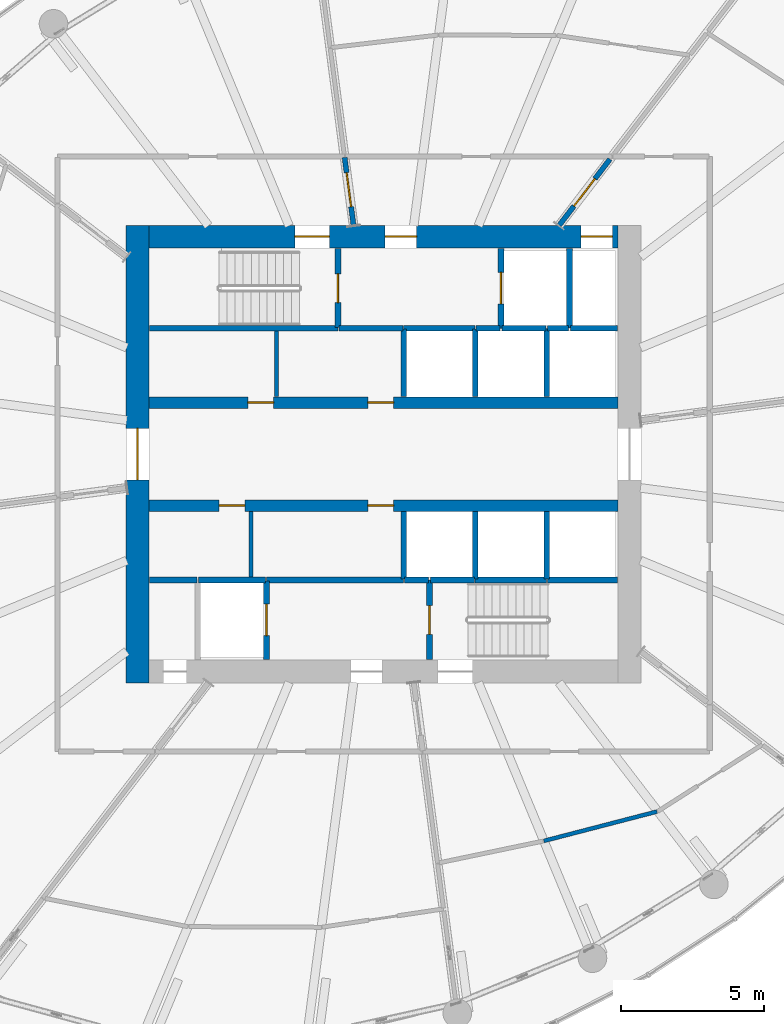
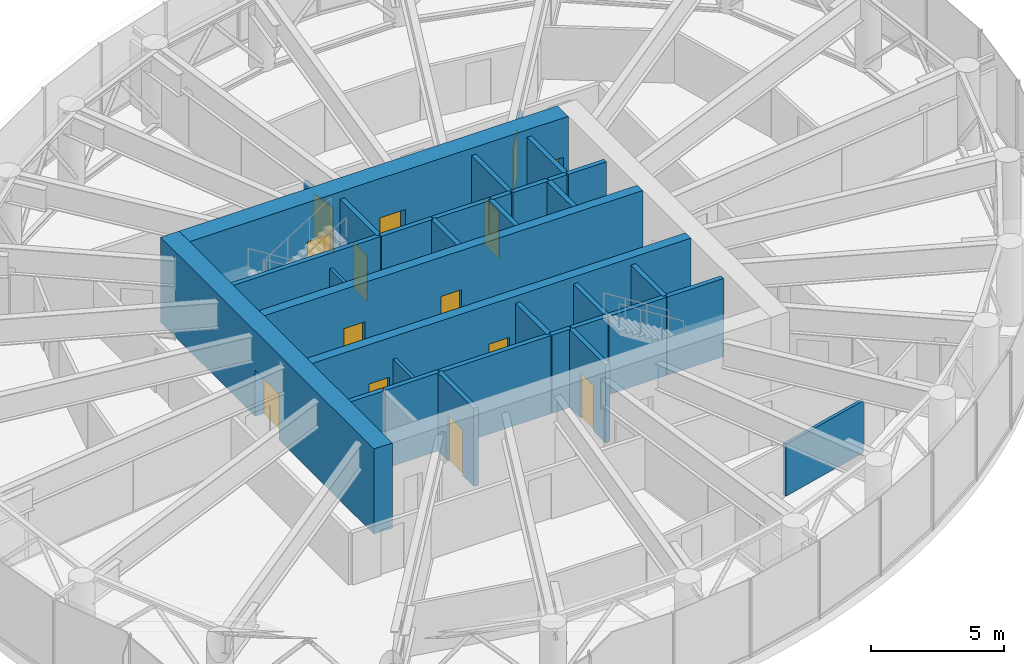
# One storey, part 14 of 25: 34 walls, 14 doors, 14 openings.
"""IFC4 building model written with IfcOpenShell, lengths in metres."""

import ifcopenshell
import ifcopenshell.guid

model = None  # the IFC model being written
_history = None  # IfcOwnerHistory: only IFC2X3 demands one
_inside = {}  # id of a spatial element -> (the spatial element, [elements in it])
_under = {}  # id of a project, library or spatial element -> (it, [spatial elements below it])
_declared = {}  # id of a project -> (the project, [libraries it declares])
_typed = {}  # id of a type object -> (the type object, [elements of that type])
_made_of = {}  # id of a material, layer set ... -> (it, [elements and type objects made of it])


def new_model(schema):
    """Start an empty IFC model of exactly this schema.

    Asked for "IFC4X3", IfcOpenShell would pick the latest addendum, in which some entities
    have other attributes; the version numbers below select the first issue.
    IFC2X3 requires an IfcOwnerHistory on every rooted entity: one is made here for all.
    """
    global model, _history
    if schema == "IFC4X3":
        model = ifcopenshell.file(schema_version=(4, 3, 0, 0))
    else:
        model = ifcopenshell.file(schema=schema)
    _inside.clear()
    _under.clear()
    _declared.clear()
    _typed.clear()
    _made_of.clear()
    _history = None
    if model.schema == "IFC2X3":
        org = make("IfcOrganization", Name="unknown")
        user = make(
            "IfcPersonAndOrganization",
            ThePerson=make("IfcPerson", FamilyName="unknown"),
            TheOrganization=org,
        )
        app = make(
            "IfcApplication",
            ApplicationDeveloper=org,
            Version="unknown",
            ApplicationFullName="unknown",
            ApplicationIdentifier="unknown",
        )
        _history = make(
            "IfcOwnerHistory",
            OwningUser=user,
            OwningApplication=app,
            ChangeAction="ADDED",
            CreationDate=0,
        )
    return model


def make(cls, **values):
    """One entity of the class cls with the attributes given. An attribute that is None is left unset."""
    return model.create_entity(
        cls, **{name: value for name, value in values.items() if value is not None}
    )


def rooted(cls, **values):
    """An entity with a GlobalId (a new one), such as an element, a storey or a relation."""
    return make(cls, GlobalId=ifcopenshell.guid.new(), OwnerHistory=_history, **values)


def si_unit(unit_type, name, prefix=None):
    """IfcSIUnit, for example si_unit("LENGTHUNIT", "METRE", prefix="MILLI")."""
    return make("IfcSIUnit", UnitType=unit_type, Prefix=prefix, Name=name)


def assignment(units):
    """IfcUnitAssignment: the units of a project."""
    return None if units is None else make("IfcUnitAssignment", Units=units)


def point(xyz):
    """IfcCartesianPoint."""
    return None if xyz is None else make("IfcCartesianPoint", Coordinates=xyz)


def direction(xyz):
    """IfcDirection."""
    return None if xyz is None else make("IfcDirection", DirectionRatios=xyz)


def frame(location, z_axis=None, x_axis=None):
    """IfcAxis2Placement3D, a coordinate frame: its origin and axes. An axis left out is left unset."""
    return make(
        "IfcAxis2Placement3D",
        Location=point(location),
        Axis=direction(z_axis),
        RefDirection=direction(x_axis),
    )


def frame_2d(location, x_axis=None):
    """IfcAxis2Placement2D, a coordinate frame in the plane: its origin and x axis."""
    return make(
        "IfcAxis2Placement2D", Location=point(location), RefDirection=direction(x_axis)
    )


def origin():
    """The frame at (0, 0, 0) with its axes left unset."""
    return frame((0.0, 0.0, 0.0))


def place(relative_to, where):
    """IfcLocalPlacement: puts the frame where relative to a parent placement (None: the world)."""
    return make(
        "IfcLocalPlacement", PlacementRelTo=relative_to, RelativePlacement=where
    )


def context(
    kind, dimensions, precision=None, world=None, true_north=None, identifier=None
):
    """IfcGeometricRepresentationContext, for example the 3D "Model" context."""
    return make(
        "IfcGeometricRepresentationContext",
        ContextIdentifier=identifier,
        ContextType=kind,
        CoordinateSpaceDimension=dimensions,
        Precision=precision,
        WorldCoordinateSystem=world,
        TrueNorth=true_north,
    )


def subcontext(parent, identifier, kind, view, scale=None):
    """IfcGeometricRepresentationSubContext, for example "Body" below "Model"."""
    return make(
        "IfcGeometricRepresentationSubContext",
        ContextIdentifier=identifier,
        ContextType=kind,
        ParentContext=parent,
        TargetScale=scale,
        TargetView=view,
    )


def project(units=None, contexts=None):
    """IfcProject with its units and contexts."""
    return rooted(
        "IfcProject",
        Name="project",
        RepresentationContexts=contexts,
        UnitsInContext=assignment(units),
    )


def spatial(cls, under=None, at=None, **own):
    """A site, building, storey or space (cls), placed at a placement, below another one or the project."""
    s = rooted(cls, ObjectPlacement=at, **own)
    if under is not None:
        _under.setdefault(under.id(), (under, []))[1].append(s)
    return s


def profile(cls, at=None, kind="AREA", **sizes):
    """A parametric profile (cls). Its sizes go by their IFC names, for example OverallWidth=200.0."""
    return make(cls, ProfileType=kind, Position=at, **sizes)


def rectangle(**sizes):
    """IfcRectangleProfileDef."""
    return profile("IfcRectangleProfileDef", **sizes)


def extrude(swept, where, along, depth):
    """IfcExtrudedAreaSolid: the profile swept, set in the frame where, extruded along a direction by depth."""
    return make(
        "IfcExtrudedAreaSolid",
        SweptArea=swept,
        Position=where,
        ExtrudedDirection=direction(along),
        Depth=depth,
    )


def shape(context_of_items, identifier, shape_type, items):
    """IfcShapeRepresentation: the items that make up one representation, for example the "Body"."""
    return make(
        "IfcShapeRepresentation",
        ContextOfItems=context_of_items,
        RepresentationIdentifier=identifier,
        RepresentationType=shape_type,
        Items=items,
    )


def source(mapping_origin, context_of_items, identifier, shape_type, items):
    """IfcRepresentationMap: a shape defined once, which mapped items show again and again."""
    return make(
        "IfcRepresentationMap",
        MappingOrigin=mapping_origin,
        MappedRepresentation=shape(context_of_items, identifier, shape_type, items),
    )


def transform(
    local_origin,
    x_axis=None,
    y_axis=None,
    z_axis=None,
    scale=None,
    scale2=None,
    scale3=None,
    uniform=True,
):
    """IfcCartesianTransformationOperator3D, or its non-uniform kind. x_axis, y_axis, z_axis: its Axis1, 2, 3."""
    if uniform:
        return make(
            "IfcCartesianTransformationOperator3D",
            Axis1=direction(x_axis),
            Axis2=direction(y_axis),
            LocalOrigin=point(local_origin),
            Scale=scale,
            Axis3=direction(z_axis),
        )
    return make(
        "IfcCartesianTransformationOperator3DnonUniform",
        Axis1=direction(x_axis),
        Axis2=direction(y_axis),
        LocalOrigin=point(local_origin),
        Scale=scale,
        Axis3=direction(z_axis),
        Scale2=scale2,
        Scale3=scale3,
    )


def mapped(mapping_source, mapping_target):
    """IfcMappedItem: shows the shape of a source again, moved by a transform."""
    return make(
        "IfcMappedItem", MappingSource=mapping_source, MappingTarget=mapping_target
    )


def material(Name=None, Category=None):
    """IfcMaterial."""
    return make("IfcMaterial", Name=Name, Category=Category)


def layer(
    of_material, thickness, ventilated=None, Name=None, Category=None, Priority=None
):
    """IfcMaterialLayer: one layer of a wall or slab, of a material (None: an air gap)."""
    return make(
        "IfcMaterialLayer",
        Material=of_material,
        LayerThickness=thickness,
        IsVentilated=ventilated,
        Name=Name,
        Category=Category,
        Priority=Priority,
    )


def layer_set(layers, Name=None):
    """IfcMaterialLayerSet."""
    return make("IfcMaterialLayerSet", MaterialLayers=layers, LayerSetName=Name)


def made_of(thing, what):
    """Note that an element or type object is made of a material, layer set ...; save() writes the relation."""
    if what is not None:
        _made_of.setdefault(what.id(), (what, []))[1].append(thing)
    return thing


def type_object(cls, material=None, **own):
    """A type object (cls), such as IfcWallType, which elements share."""
    return made_of(rooted(cls, **own), material)


def element(
    cls,
    number,
    at=None,
    inside=None,
    cuts=None,
    type_object=None,
    material=None,
    context=None,
    identifier="Body",
    shape_type=None,
    held_by="IfcProductDefinitionShape",
    body=None,
    shapes=None,
    **own,
):
    """One element of the class cls, such as IfcWall. Its Tag is "e" and its number.

    at: its placement. inside: the storey or other place that contains it. cuts: it is an
    opening in that element (IfcRelVoidsElement). A single representation is given by context,
    identifier, shape_type and body (its items); several are given by shapes. held_by: the class
    of the entity that holds the representations. save() writes the other relations.
    """
    e = rooted(cls, Tag="e%d" % number, ObjectPlacement=at, **own)
    if body is not None:
        shapes = [shape(context, identifier, shape_type, body)]
    if shapes is not None:
        e.Representation = make(held_by, Representations=shapes)
    if inside is not None:
        _inside.setdefault(inside.id(), (inside, []))[1].append(e)
    if cuts is not None:
        rooted(
            "IfcRelVoidsElement", RelatingBuildingElement=cuts, RelatedOpeningElement=e
        )
    if type_object is not None:
        _typed.setdefault(type_object.id(), (type_object, []))[1].append(e)
    return made_of(e, material)


def fill(opening, filler):
    """IfcRelFillsElement: the door or window that sits in an opening."""
    return rooted(
        "IfcRelFillsElement",
        RelatingOpeningElement=opening,
        RelatedBuildingElement=filler,
    )


def aggregate(whole, parts):
    """IfcRelAggregates: a whole, such as a stair, and the parts it consists of."""
    return rooted("IfcRelAggregates", RelatingObject=whole, RelatedObjects=parts)


def save(model, path):
    """Write the relations noted so far, then the file.

    IfcRelAggregates (storeys below a building ...), IfcRelContainedInSpatialStructure (elements
    in a storey), IfcRelDefinesByType, IfcRelAssociatesMaterial and IfcRelDeclares: one each for
    every whole, place, type object, material and project.
    """
    for whole, parts in _under.values():
        aggregate(whole, parts)
    for where, things in _inside.values():
        rooted(
            "IfcRelContainedInSpatialStructure",
            RelatedElements=things,
            RelatingStructure=where,
        )
    for kind, things in _typed.values():
        rooted("IfcRelDefinesByType", RelatedObjects=things, RelatingType=kind)
    for what, things in _made_of.values():
        rooted("IfcRelAssociatesMaterial", RelatedObjects=things, RelatingMaterial=what)
    for by, libraries in _declared.values():
        rooted("IfcRelDeclares", RelatingContext=by, RelatedDefinitions=libraries)
    model.write(path)


model = new_model("IFC4")

# Units and contexts
model_context = context("Model", 3, precision=1e-05, world=origin(), true_north=direction((0.0, 1.0)))
body_context = subcontext(model_context, "Body", "Model", "MODEL_VIEW")
ifc_project = project(units=[si_unit("LENGTHUNIT", "METRE"), si_unit("AREAUNIT", "SQUARE_METRE"), si_unit("VOLUMEUNIT", "CUBIC_METRE"), si_unit("PLANEANGLEUNIT", "RADIAN"), si_unit("MASSUNIT", "GRAM", prefix="KILO")], contexts=[model_context])

# Site, building, storey
site_placement = place(None, origin())
site = spatial("IfcSite", under=ifc_project, at=site_placement, CompositionType="ELEMENT")
building_placement = place(site_placement, origin())
building = spatial("IfcBuilding", under=site, at=building_placement, Name="Spindrift Exchange Tower", CompositionType="ELEMENT")
storey_placement = place(building_placement, frame((0.0, 0.0, 179.89990234375)))
storey = spatial("IfcBuildingStorey", under=building, at=storey_placement, Name="L43", CompositionType="ELEMENT", Elevation=179.89990234375)

# Wall, opening, door
ifc_material_1 = material(Name="Concrete 65 MPa", Category="concrete")
ifc_layer_1 = layer(ifc_material_1, 0.800048828125)
ifc_layer_set_1 = layer_set([ifc_layer_1], Name="RC Core Wall 800 Concrete 65 MPa")
wall_type_1 = type_object("IfcWallType", Name="RC Core Wall 800 Concrete 65 MPa", PredefinedType="SHEAR", material=ifc_layer_set_1)
wall_1_placement = place(storey_placement, frame((43.39990234375, 56.0, 0.0), z_axis=(0.0, 0.0, 1.0), x_axis=(0.0, -1.0, 0.0)))
wall_1 = element("IfcWall", 1, at=wall_1_placement, inside=storey, type_object=wall_type_1, Name="Core wall W L43", PredefinedType="SHEAR", context=body_context, shape_type="SweptSolid", body=[
    extrude(rectangle(XDim=16.0, YDim=0.800048828125, at=frame_2d((8.0, 0.0))), origin(), (0.0, 0.0, 1.0), 3.900146484375),
])
opening_1_placement = place(wall_1_placement, frame((7.10009765625, 0.0, 0.0)))
opening_1 = element("IfcOpeningElement", 2, at=opening_1_placement, cuts=wall_1, Name="Opening L43-D1", PredefinedType="OPENING", context=body_context, shape_type="SweptSolid", body=[
    extrude(rectangle(XDim=1.800048828125, YDim=2.10009765625, at=frame_2d((0.89990234375, 1.050048828125))), frame((0.0, 0.409912109375, 0.0), z_axis=(0.0, -1.0, 0.0), x_axis=(1.0, 0.0, 0.0)), (0.0, 0.0, 1.0), 0.820068359375),
])
ifc_material_2 = material(Name="Timber-core fire door", Category="wood")
door_type_1 = type_object("IfcDoorType", Name="DR-LOBBY-1800", OperationType="NOTDEFINED", PredefinedType="DOOR", material=ifc_material_2)
shared_shape_1 = source(origin(), body_context, "Body", "SweptSolid", [
    extrude(rectangle(XDim=1.800048828125, YDim=2.10009765625, at=frame_2d((0.89990234375, 1.050048828125))), frame((0.0, 0.02490234375, 0.0), z_axis=(0.0, -1.0, 0.0), x_axis=(1.0, 0.0, 0.0)), (0.0, 0.0, 1.0), 0.050048828125),
])
door_1_placement = place(opening_1_placement, origin())
door_1 = element("IfcDoor", 3, at=door_1_placement, inside=storey, type_object=door_type_1, Name="L43 Lobby door 1", OperationType="SINGLE_SWING_LEFT", OverallHeight=2.10009765625, OverallWidth=1.800048828125, PredefinedType="DOOR", context=body_context, shape_type="MappedRepresentation", body=[
    mapped(shared_shape_1, transform((0.0, 0.0, 0.0), scale=1.0)),
])
fill(opening_1, door_1)

# Wall, openings, doors
wall_2_placement = place(storey_placement, frame((60.199951171875, 55.60009765625, 0.0), z_axis=(0.0, 0.0, 1.0), x_axis=(-1.0, 0.0, 0.0)))
wall_2 = element("IfcWall", 4, at=wall_2_placement, inside=storey, type_object=wall_type_1, Name="Core wall N L43", PredefinedType="SHEAR", context=body_context, shape_type="SweptSolid", body=[
    extrude(rectangle(XDim=16.39990234375, YDim=0.800048828125, at=frame_2d((8.199951171875, 0.0))), origin(), (0.0, 0.0, 1.0), 3.900146484375),
])
opening_2_placement = place(wall_2_placement, frame((0.199951171875, 0.0, 0.0)))
opening_2 = element("IfcOpeningElement", 5, at=opening_2_placement, cuts=wall_2, Name="Opening L43-D5", PredefinedType="OPENING", context=body_context, shape_type="SweptSolid", body=[
    extrude(rectangle(XDim=1.10009765625, YDim=2.10009765625, at=frame_2d((0.550048828125, 1.050048828125))), frame((0.0, 0.409912109375, 0.0), z_axis=(0.0, -1.0, 0.0), x_axis=(1.0, 0.0, 0.0)), (0.0, 0.0, 1.0), 0.820068359375),
])
opening_3_placement = place(wall_2_placement, frame((10.10009765625, 0.0, 0.0)))
opening_3 = element("IfcOpeningElement", 6, at=opening_3_placement, cuts=wall_2, Name="Opening L43-D6", PredefinedType="OPENING", context=body_context, shape_type="SweptSolid", body=[
    extrude(rectangle(XDim=1.199951171875, YDim=2.10009765625, at=frame_2d((0.60009765625, 1.050048828125))), frame((0.0, 0.409912109375, 0.0), z_axis=(0.0, -1.0, 0.0), x_axis=(1.0, 0.0, 0.0)), (0.0, 0.0, 1.0), 0.820068359375),
])
opening_4_placement = place(wall_2_placement, frame((7.050048828125, 0.0, 0.0)))
opening_4 = element("IfcOpeningElement", 7, at=opening_4_placement, cuts=wall_2, Name="Opening L43-D8", PredefinedType="OPENING", context=body_context, shape_type="SweptSolid", body=[
    extrude(rectangle(XDim=1.10009765625, YDim=2.10009765625, at=frame_2d((0.550048828125, 1.050048828125))), frame((0.0, 0.409912109375, 0.0), z_axis=(0.0, -1.0, 0.0), x_axis=(1.0, 0.0, 0.0)), (0.0, 0.0, 1.0), 0.820068359375),
])
ifc_material_3 = material(Name="Stainless steel landing door", Category="steel")
door_type_2 = type_object("IfcDoorType", Name="DR-LANDING-1100-SL", OperationType="DOUBLE_DOOR_SLIDING", PredefinedType="USERDEFINED", material=ifc_material_3)
shared_shape_2 = source(origin(), body_context, "Body", "SweptSolid", [
    extrude(rectangle(XDim=1.10009765625, YDim=2.10009765625, at=frame_2d((0.550048828125, 1.050048828125))), frame((0.0, 0.02490234375, 0.0), z_axis=(0.0, -1.0, 0.0), x_axis=(1.0, 0.0, 0.0)), (0.0, 0.0, 1.0), 0.050048828125),
])
door_2_placement = place(opening_2_placement, origin())
door_2 = element("IfcDoor", 8, at=door_2_placement, inside=storey, type_object=door_type_2, Name="L43 Lift landing door 5", ObjectType="LANDING DOOR", OperationType="DOUBLE_DOOR_SLIDING", OverallHeight=2.10009765625, OverallWidth=1.10009765625, PredefinedType="USERDEFINED", context=body_context, shape_type="MappedRepresentation", body=[
    mapped(shared_shape_2, transform((0.0, 0.0, 0.0), scale=1.0)),
])
fill(opening_2, door_2)
ifc_material_4 = material(Name="Steel fire door", Category="steel")
door_type_3 = type_object("IfcDoorType", Name="DR-STAIR-1200", OperationType="NOTDEFINED", PredefinedType="DOOR", material=ifc_material_4)
shared_shape_3 = source(origin(), body_context, "Body", "SweptSolid", [
    extrude(rectangle(XDim=1.199951171875, YDim=2.10009765625, at=frame_2d((0.60009765625, 1.050048828125))), frame((0.0, 0.02490234375, 0.0), z_axis=(0.0, -1.0, 0.0), x_axis=(1.0, 0.0, 0.0)), (0.0, 0.0, 1.0), 0.050048828125),
])
door_3_placement = place(opening_3_placement, origin())
door_3 = element("IfcDoor", 9, at=door_3_placement, inside=storey, type_object=door_type_3, Name="L43 Stair door 6", OperationType="SINGLE_SWING_LEFT", OverallHeight=2.10009765625, OverallWidth=1.199951171875, PredefinedType="DOOR", context=body_context, shape_type="MappedRepresentation", body=[
    mapped(shared_shape_3, transform((0.0, 0.0, 0.0), scale=1.0)),
])
fill(opening_3, door_3)
door_type_4 = type_object("IfcDoorType", Name="DR-LOBBY-1100", OperationType="NOTDEFINED", PredefinedType="DOOR", material=ifc_material_2)
shared_shape_4 = source(origin(), body_context, "Body", "SweptSolid", [
    extrude(rectangle(XDim=1.10009765625, YDim=2.10009765625, at=frame_2d((0.550048828125, 1.050048828125))), frame((0.0, 0.02490234375, 0.0), z_axis=(0.0, -1.0, 0.0), x_axis=(1.0, 0.0, 0.0)), (0.0, 0.0, 1.0), 0.050048828125),
])
door_4_placement = place(opening_4_placement, origin())
door_4 = element("IfcDoor", 10, at=door_4_placement, inside=storey, type_object=door_type_4, Name="L43 Lobby door 8", OperationType="SINGLE_SWING_LEFT", OverallHeight=2.10009765625, OverallWidth=1.10009765625, PredefinedType="DOOR", context=body_context, shape_type="MappedRepresentation", body=[
    mapped(shared_shape_4, transform((0.0, 0.0, 0.0), scale=1.0)),
])
fill(opening_4, door_4)

ifc_layer_2 = layer(ifc_material_1, 0.39990234375)
ifc_layer_set_2 = layer_set([ifc_layer_2], Name="RC Spine Wall 400 Concrete 65 MPa")
wall_type_2 = type_object("IfcWallType", Name="RC Spine Wall 400 Concrete 65 MPa", PredefinedType="SHEAR", material=ifc_layer_set_2)
wall_3_placement = place(storey_placement, frame((43.800048828125, 49.800048828125, 0.0), z_axis=(0.0, 0.0, 1.0), x_axis=(1.0, 0.0, 0.0)))
wall_3 = element("IfcWall", 11, at=wall_3_placement, inside=storey, type_object=wall_type_2, Name="Core spine wall N L43", PredefinedType="SHEAR", context=body_context, shape_type="SweptSolid", body=[
    extrude(rectangle(XDim=16.39990234375, YDim=0.39990234375, at=frame_2d((8.199951171875, 0.0))), origin(), (0.0, 0.0, 1.0), 3.900146484375),
])
opening_5_placement = place(wall_3_placement, frame((3.449951171875, 0.0, 0.0)))
opening_5 = element("IfcOpeningElement", 12, at=opening_5_placement, cuts=wall_3, Name="Opening L43-D34", PredefinedType="OPENING", context=body_context, shape_type="SweptSolid", body=[
    extrude(rectangle(XDim=0.89990234375, YDim=2.10009765625, at=frame_2d((0.449951171875, 1.050048828125))), frame((0.0, 0.2099609375, 0.0), z_axis=(0.0, -1.0, 0.0), x_axis=(1.0, 0.0, 0.0)), (0.0, 0.0, 1.0), 0.419921875),
])
opening_6_placement = place(wall_3_placement, frame((7.64990234375, 0.0, 0.0)))
opening_6 = element("IfcOpeningElement", 13, at=opening_6_placement, cuts=wall_3, Name="Opening L43-D35", PredefinedType="OPENING", context=body_context, shape_type="SweptSolid", body=[
    extrude(rectangle(XDim=0.89990234375, YDim=2.10009765625, at=frame_2d((0.449951171875, 1.050048828125))), frame((0.0, 0.2099609375, 0.0), z_axis=(0.0, -1.0, 0.0), x_axis=(1.0, 0.0, 0.0)), (0.0, 0.0, 1.0), 0.419921875),
])
ifc_material_5 = material(Name="Steel access door", Category="steel")
door_type_5 = type_object("IfcDoorType", Name="DR-RISER-900", OperationType="NOTDEFINED", PredefinedType="DOOR", material=ifc_material_5)
shared_shape_5 = source(origin(), body_context, "Body", "SweptSolid", [
    extrude(rectangle(XDim=0.89990234375, YDim=2.10009765625, at=frame_2d((0.449951171875, 1.050048828125))), frame((0.0, 0.02490234375, 0.0), z_axis=(0.0, -1.0, 0.0), x_axis=(1.0, 0.0, 0.0)), (0.0, 0.0, 1.0), 0.050048828125),
])
door_5_placement = place(opening_5_placement, origin())
door_5 = element("IfcDoor", 14, at=door_5_placement, inside=storey, type_object=door_type_5, Name="L43 Riser door 34", OperationType="SINGLE_SWING_LEFT", OverallHeight=2.10009765625, OverallWidth=0.89990234375, PredefinedType="DOOR", context=body_context, shape_type="MappedRepresentation", body=[
    mapped(shared_shape_5, transform((0.0, 0.0, 0.0), scale=1.0)),
])
fill(opening_5, door_5)
door_6_placement = place(opening_6_placement, origin())
door_6 = element("IfcDoor", 15, at=door_6_placement, inside=storey, type_object=door_type_5, Name="L43 Riser door 35", OperationType="SINGLE_SWING_RIGHT", OverallHeight=2.10009765625, OverallWidth=0.89990234375, PredefinedType="DOOR", context=body_context, shape_type="MappedRepresentation", body=[
    mapped(shared_shape_5, transform((0.0, 0.0, 0.0), scale=1.0)),
])
fill(opening_6, door_6)

wall_4_placement = place(storey_placement, frame((43.800048828125, 46.199951171875, 0.0), z_axis=(0.0, 0.0, 1.0), x_axis=(1.0, 0.0, 0.0)))
wall_4 = element("IfcWall", 16, at=wall_4_placement, inside=storey, type_object=wall_type_2, Name="Core spine wall S L43", PredefinedType="SHEAR", context=body_context, shape_type="SweptSolid", body=[
    extrude(rectangle(XDim=16.39990234375, YDim=0.39990234375, at=frame_2d((8.199951171875, 0.0))), origin(), (0.0, 0.0, 1.0), 3.900146484375),
])
opening_7_placement = place(wall_4_placement, frame((2.449951171875, 0.0, 0.0)))
opening_7 = element("IfcOpeningElement", 17, at=opening_7_placement, cuts=wall_4, Name="Opening L43-D36", PredefinedType="OPENING", context=body_context, shape_type="SweptSolid", body=[
    extrude(rectangle(XDim=0.89990234375, YDim=2.10009765625, at=frame_2d((0.449951171875, 1.050048828125))), frame((0.0, 0.2099609375, 0.0), z_axis=(0.0, -1.0, 0.0), x_axis=(1.0, 0.0, 0.0)), (0.0, 0.0, 1.0), 0.419921875),
])
opening_8_placement = place(wall_4_placement, frame((7.64990234375, 0.0, 0.0)))
opening_8 = element("IfcOpeningElement", 18, at=opening_8_placement, cuts=wall_4, Name="Opening L43-D37", PredefinedType="OPENING", context=body_context, shape_type="SweptSolid", body=[
    extrude(rectangle(XDim=0.89990234375, YDim=2.10009765625, at=frame_2d((0.449951171875, 1.050048828125))), frame((0.0, 0.2099609375, 0.0), z_axis=(0.0, -1.0, 0.0), x_axis=(1.0, 0.0, 0.0)), (0.0, 0.0, 1.0), 0.419921875),
])
door_7_placement = place(opening_7_placement, origin())
door_7 = element("IfcDoor", 19, at=door_7_placement, inside=storey, type_object=door_type_5, Name="L43 Riser door 36", OperationType="SINGLE_SWING_LEFT", OverallHeight=2.10009765625, OverallWidth=0.89990234375, PredefinedType="DOOR", context=body_context, shape_type="MappedRepresentation", body=[
    mapped(shared_shape_5, transform((0.0, 0.0, 0.0), scale=1.0)),
])
fill(opening_7, door_7)
door_8_placement = place(opening_8_placement, origin())
door_8 = element("IfcDoor", 20, at=door_8_placement, inside=storey, type_object=door_type_5, Name="L43 Riser door 37", OperationType="SINGLE_SWING_RIGHT", OverallHeight=2.10009765625, OverallWidth=0.89990234375, PredefinedType="DOOR", context=body_context, shape_type="MappedRepresentation", body=[
    mapped(shared_shape_5, transform((0.0, 0.0, 0.0), scale=1.0)),
])
fill(opening_8, door_8)

# Wall, opening, door
ifc_material_6 = material(Name="Fire-rated plasterboard partition", Category="gypsum")
ifc_layer_3 = layer(ifc_material_6, 0.179931640625)
ifc_layer_set_3 = layer_set([ifc_layer_3], Name="W-CORR-180-SOFFIT")
wall_type_3 = type_object("IfcWallType", Name="W-CORR-180-SOFFIT", PredefinedType="PARTITIONING", material=ifc_layer_set_3)
wall_5_placement = place(storey_placement, frame((59.9111328125, 58.31005859375, 0.0), z_axis=(0.0, 0.0, 1.0), x_axis=(-0.608737787706, -0.793371480341, 0.0)))
wall_5 = element("IfcWall", 21, at=wall_5_placement, inside=storey, type_object=wall_type_3, Name="L43 Partition wall 40", PredefinedType="PARTITIONING", context=body_context, shape_type="SweptSolid", body=[
    extrude(rectangle(XDim=2.91162109375, YDim=0.179931640625, at=frame_2d((1.455810546875, 0.0))), origin(), (0.0, 0.0, 1.0), 2.380126953125),
])
opening_9_placement = place(wall_5_placement, frame((0.86181640625, 0.0, 0.0)))
opening_9 = element("IfcOpeningElement", 22, at=opening_9_placement, cuts=wall_5, Name="Opening L43-D26", PredefinedType="OPENING", context=body_context, shape_type="SweptSolid", body=[
    extrude(rectangle(XDim=1.199951171875, YDim=2.10009765625, at=frame_2d((0.60009765625, 1.050048828125))), frame((0.0, 0.099853515625, 0.0), z_axis=(0.0, -1.0, 0.0), x_axis=(1.0, 0.0, 0.0)), (0.0, 0.0, 1.0), 0.199951171875),
])
door_type_6 = type_object("IfcDoorType", Name="DR-PLANT-1200", OperationType="NOTDEFINED", PredefinedType="DOOR", material=ifc_material_4)
shared_shape_6 = source(origin(), body_context, "Body", "SweptSolid", [
    extrude(rectangle(XDim=1.199951171875, YDim=2.10009765625, at=frame_2d((0.60009765625, 1.050048828125))), frame((0.0, 0.02490234375, 0.0), z_axis=(0.0, -1.0, 0.0), x_axis=(1.0, 0.0, 0.0)), (0.0, 0.0, 1.0), 0.050048828125),
])
door_9_placement = place(opening_9_placement, origin())
door_9 = element("IfcDoor", 23, at=door_9_placement, inside=storey, type_object=door_type_6, Name="L43 Plant room door 26", OperationType="SINGLE_SWING_LEFT", OverallHeight=2.10009765625, OverallWidth=1.199951171875, PredefinedType="DOOR", context=body_context, shape_type="MappedRepresentation", body=[
    mapped(shared_shape_6, transform((0.0, 0.0, 0.0), scale=1.0)),
])
fill(opening_9, door_9)

wall_6_placement = place(storey_placement, frame((50.634765625, 58.370361328125, 0.0), z_axis=(0.0, 0.0, 1.0), x_axis=(0.130504701654, -0.991447690424, 0.0)))
wall_6 = element("IfcWall", 24, at=wall_6_placement, inside=storey, type_object=wall_type_3, Name="L43 Partition wall 43", PredefinedType="PARTITIONING", context=body_context, shape_type="SweptSolid", body=[
    extrude(rectangle(XDim=2.390869140625, YDim=0.179931640625, at=frame_2d((1.1953125, 0.0))), origin(), (0.0, 0.0, 1.0), 2.380126953125),
])
opening_10_placement = place(wall_6_placement, frame((0.540771484375, 0.0, 0.0)))
opening_10 = element("IfcOpeningElement", 25, at=opening_10_placement, cuts=wall_6, Name="Opening L43-D27", PredefinedType="OPENING", context=body_context, shape_type="SweptSolid", body=[
    extrude(rectangle(XDim=1.199951171875, YDim=2.10009765625, at=frame_2d((0.60009765625, 1.050048828125))), frame((0.0, 0.099853515625, 0.0), z_axis=(0.0, -1.0, 0.0), x_axis=(1.0, 0.0, 0.0)), (0.0, 0.0, 1.0), 0.199951171875),
])
door_10_placement = place(opening_10_placement, origin())
door_10 = element("IfcDoor", 26, at=door_10_placement, inside=storey, type_object=door_type_6, Name="L43 Plant room door 27", OperationType="SINGLE_SWING_RIGHT", OverallHeight=2.10009765625, OverallWidth=1.199951171875, PredefinedType="DOOR", context=body_context, shape_type="MappedRepresentation", body=[
    mapped(shared_shape_6, transform((0.0, 0.0, 0.0), scale=1.0)),
])
fill(opening_10, door_10)

# Walls
ifc_layer_4 = layer(ifc_material_6, 0.139892578125)
ifc_layer_set_4 = layer_set([ifc_layer_4], Name="W-PART-140")
wall_type_4 = type_object("IfcWallType", Name="W-PART-140", PredefinedType="PARTITIONING", material=ifc_layer_set_4)
for number, where, z_axis, x_axis, name in (
    (27, (47.360107421875, 43.699951171875, 0.0), (0.0, 0.0, 1.0), (0.0, 1.0, 0.0), "L43 Partition wall 74"),
    (28, (48.25, 50.010009765625, 0.0), (0.0, 0.0, 1.0), (0.0, 1.0, 0.0), "L43 Partition wall 75"),
):
    element("IfcWall", number, at=place(storey_placement, frame(where, z_axis=z_axis, x_axis=x_axis)), inside=storey, type_object=wall_type_4, Name=name, PredefinedType="PARTITIONING", context=body_context, shape_type="SweptSolid", body=[
        extrude(rectangle(XDim=2.2900390625, YDim=0.139892578125, at=frame_2d((1.14501953125, 0.0))), origin(), (0.0, 0.0, 1.0), 2.880126953125),
    ])
ifc_layer_5 = layer(ifc_material_6, 0.139892578125)
ifc_layer_set_5 = layer_set([ifc_layer_5], Name="W-PLANT-140-SOFFIT")
wall_type_5 = type_object("IfcWallType", Name="W-PLANT-140-SOFFIT", PredefinedType="PARTITIONING", material=ifc_layer_set_5)
wall_7_placement = place(storey_placement, frame((57.60205078125, 34.4755859375, 0.0), z_axis=(0.0, 0.0, 1.0), x_axis=(0.96794524956, 0.251161290518, 0.0)))
element("IfcWall", 29, at=wall_7_placement, inside=storey, type_object=wall_type_5, Name="L43 Partition wall 66", PredefinedType="PARTITIONING", context=body_context, shape_type="SweptSolid", body=[
    extrude(rectangle(XDim=4.08447265625, YDim=0.139892578125, at=frame_2d((2.042236328125, 0.0))), origin(), (0.0, 0.0, 1.0), 2.380126953125),
])
ifc_material_7 = material(Name="Concrete 40 MPa", Category="concrete")
ifc_layer_6 = layer(ifc_material_7, 0.199951171875)
ifc_layer_set_6 = layer_set([ifc_layer_6], Name="W-SHAFT-200")
wall_type_6 = type_object("IfcWallType", Name="W-SHAFT-200", PredefinedType="SOLIDWALL", material=ifc_layer_set_6)
wall_8_placement = place(storey_placement, frame((52.699951171875, 43.60009765625, 0.0), z_axis=(0.0, 0.0, 1.0), x_axis=(-1.0, 0.0, 0.0)))
element("IfcWall", 30, at=wall_8_placement, inside=storey, type_object=wall_type_6, Name="L43 Shaft wall 2", PredefinedType="SOLIDWALL", context=body_context, shape_type="SweptSolid", body=[
    extrude(rectangle(XDim=4.800048828125, YDim=0.199951171875, at=frame_2d((2.39990234375, 0.0))), origin(), (0.0, 0.0, 1.0), 3.580078125),
])

# Wall, opening, door
wall_9_placement = place(storey_placement, frame((47.89990234375, 40.820068359375, 0.0), z_axis=(0.0, 0.0, 1.0), x_axis=(0.0, 1.0, 0.0)))
wall_9 = element("IfcWall", 31, at=wall_9_placement, inside=storey, type_object=wall_type_6, Name="L43 Shaft wall 4", PredefinedType="SOLIDWALL", context=body_context, shape_type="SweptSolid", body=[
    extrude(rectangle(XDim=2.75, YDim=0.199951171875, at=frame_2d((1.375, 0.0))), origin(), (0.0, 0.0, 1.0), 3.580078125),
])
opening_11_placement = place(wall_9_placement, frame((0.830078125, 0.0, 0.0)))
opening_11 = element("IfcOpeningElement", 32, at=opening_11_placement, cuts=wall_9, Name="Opening L43-D4", PredefinedType="OPENING", context=body_context, shape_type="SweptSolid", body=[
    extrude(rectangle(XDim=1.10009765625, YDim=2.10009765625, at=frame_2d((0.550048828125, 1.050048828125))), frame((0.0, 0.10986328125, 0.0), z_axis=(0.0, -1.0, 0.0), x_axis=(1.0, 0.0, 0.0)), (0.0, 0.0, 1.0), 0.219970703125),
])
door_11_placement = place(opening_11_placement, origin())
door_11 = element("IfcDoor", 33, at=door_11_placement, inside=storey, type_object=door_type_2, Name="L43 Lift landing door 4", ObjectType="LANDING DOOR", OperationType="DOUBLE_DOOR_SLIDING", OverallHeight=2.10009765625, OverallWidth=1.10009765625, PredefinedType="USERDEFINED", context=body_context, shape_type="MappedRepresentation", body=[
    mapped(shared_shape_2, transform((0.0, 0.0, 0.0), scale=1.0)),
])
fill(opening_11, door_11)

wall_10_placement = place(storey_placement, frame((56.10009765625, 55.179931640625, 0.0), z_axis=(0.0, 0.0, 1.0), x_axis=(0.0, -1.0, 0.0)))
wall_10 = element("IfcWall", 34, at=wall_10_placement, inside=storey, type_object=wall_type_6, Name="L43 Shaft wall 7", PredefinedType="SOLIDWALL", context=body_context, shape_type="SweptSolid", body=[
    extrude(rectangle(XDim=2.780029296875, YDim=0.199951171875, at=frame_2d((1.39013671875, 0.0))), origin(), (0.0, 0.0, 1.0), 3.580078125),
])
opening_12_placement = place(wall_10_placement, frame((0.830078125, 0.0, 0.0)))
opening_12 = element("IfcOpeningElement", 35, at=opening_12_placement, cuts=wall_10, Name="Opening L43-D3", PredefinedType="OPENING", context=body_context, shape_type="SweptSolid", body=[
    extrude(rectangle(XDim=1.10009765625, YDim=2.10009765625, at=frame_2d((0.550048828125, 1.050048828125))), frame((0.0, 0.10986328125, 0.0), z_axis=(0.0, -1.0, 0.0), x_axis=(1.0, 0.0, 0.0)), (0.0, 0.0, 1.0), 0.219970703125),
])
door_12_placement = place(opening_12_placement, origin())
door_12 = element("IfcDoor", 36, at=door_12_placement, inside=storey, type_object=door_type_2, Name="L43 Lift landing door 3", ObjectType="LANDING DOOR", OperationType="DOUBLE_DOOR_SLIDING", OverallHeight=2.10009765625, OverallWidth=1.10009765625, PredefinedType="USERDEFINED", context=body_context, shape_type="MappedRepresentation", body=[
    mapped(shared_shape_2, transform((0.0, 0.0, 0.0), scale=1.0)),
])
fill(opening_12, door_12)

# Walls
wall_11_placement = place(storey_placement, frame((58.5, 52.39990234375, 0.0), z_axis=(0.0, 0.0, 1.0), x_axis=(0.0, 1.0, 0.0)))
element("IfcWall", 37, at=wall_11_placement, inside=storey, type_object=wall_type_6, Name="L43 Shaft wall 8", PredefinedType="SOLIDWALL", context=body_context, shape_type="SweptSolid", body=[
    extrude(rectangle(XDim=2.780029296875, YDim=0.199951171875, at=frame_2d((1.39013671875, 0.0))), origin(), (0.0, 0.0, 1.0), 3.580078125),
])
wall_12_placement = place(storey_placement, frame((55.199951171875, 52.39990234375, 0.0), z_axis=(0.0, 0.0, 1.0), x_axis=(-1.0, 0.0, 0.0)))
element("IfcWall", 38, at=wall_12_placement, inside=storey, type_object=wall_type_6, Name="L43 Shaft wall 9", PredefinedType="SOLIDWALL", context=body_context, shape_type="SweptSolid", body=[
    extrude(rectangle(XDim=2.5, YDim=0.199951171875, at=frame_2d((1.25, 0.0))), origin(), (0.0, 0.0, 1.0), 3.580078125),
])
wall_13_placement = place(storey_placement, frame((47.8701171875, 43.60009765625, 0.0), z_axis=(0.0, 0.0, 1.0), x_axis=(-1.0, 0.0, 0.0)))
element("IfcWall", 39, at=wall_13_placement, inside=storey, type_object=wall_type_6, Name="L43 Shaft wall 12", PredefinedType="SOLIDWALL", context=body_context, shape_type="SweptSolid", body=[
    extrude(rectangle(XDim=2.340087890625, YDim=0.199951171875, at=frame_2d((1.169921875, 0.0))), origin(), (0.0, 0.0, 1.0), 3.580078125),
])
for number, where, z_axis, x_axis, name in (
    (40, (52.699951171875, 45.989990234375, 0.0), (0.0, 0.0, 1.0), (0.0, -1.0, 0.0), "L43 Shaft wall 13"),
    (41, (52.699951171875, 52.3701171875, 0.0), (0.0, 0.0, 1.0), (0.0, -1.0, 0.0), "L43 Shaft wall 14"),
    (42, (55.199951171875, 50.010009765625, 0.0), (0.0, 0.0, 1.0), (0.0, 1.0, 0.0), "L43 Shaft wall 16"),
):
    element("IfcWall", number, at=place(storey_placement, frame(where, z_axis=z_axis, x_axis=x_axis)), inside=storey, type_object=wall_type_6, Name=name, PredefinedType="SOLIDWALL", context=body_context, shape_type="SweptSolid", body=[
        extrude(rectangle(XDim=2.360107421875, YDim=0.199951171875, at=frame_2d((1.18017578125, 0.0))), origin(), (0.0, 0.0, 1.0), 3.580078125),
    ])
wall_14_placement = place(storey_placement, frame((57.699951171875, 50.010009765625, 0.0), z_axis=(0.0, 0.0, 1.0), x_axis=(0.0, 1.0, 0.0)))
element("IfcWall", 43, at=wall_14_placement, inside=storey, type_object=wall_type_6, Name="L43 Shaft wall 18", PredefinedType="SOLIDWALL", context=body_context, shape_type="SweptSolid", body=[
    extrude(rectangle(XDim=2.389892578125, YDim=0.199951171875, at=frame_2d((1.19482421875, 0.0))), origin(), (0.0, 0.0, 1.0), 3.580078125),
])
for number, where, z_axis, x_axis, name in (
    (44, (45.469970703125, 43.60009765625, 0.0), (0.0, 0.0, 1.0), (-1.0, 0.0, 0.0), "L43 Shaft wall 20"),
    (45, (60.179931640625, 52.39990234375, 0.0), (0.0, 0.0, 1.0), (-1.0, 0.0, 0.0), "L43 Shaft wall 21"),
):
    element("IfcWall", number, at=place(storey_placement, frame(where, z_axis=z_axis, x_axis=x_axis)), inside=storey, type_object=wall_type_6, Name=name, PredefinedType="SOLIDWALL", context=body_context, shape_type="SweptSolid", body=[
        extrude(rectangle(XDim=1.64990234375, YDim=0.199951171875, at=frame_2d((0.824951171875, 0.0))), origin(), (0.0, 0.0, 1.0), 3.580078125),
    ])
wall_15_placement = place(storey_placement, frame((57.669921875, 52.39990234375, 0.0), z_axis=(0.0, 0.0, 1.0), x_axis=(-1.0, 0.0, 0.0)))
element("IfcWall", 46, at=wall_15_placement, inside=storey, type_object=wall_type_6, Name="L43 Shaft wall 23", PredefinedType="SOLIDWALL", context=body_context, shape_type="SweptSolid", body=[
    extrude(rectangle(XDim=1.5400390625, YDim=0.199951171875, at=frame_2d((0.77001953125, 0.0))), origin(), (0.0, 0.0, 1.0), 3.580078125),
])
wall_16_placement = place(storey_placement, frame((56.070068359375, 52.39990234375, 0.0), z_axis=(0.0, 0.0, 1.0), x_axis=(-1.0, 0.0, 0.0)))
element("IfcWall", 47, at=wall_16_placement, inside=storey, type_object=wall_type_6, Name="L43 Shaft wall 25", PredefinedType="SOLIDWALL", context=body_context, shape_type="SweptSolid", body=[
    extrude(rectangle(XDim=0.840087890625, YDim=0.199951171875, at=frame_2d((0.419921875, 0.0))), origin(), (0.0, 0.0, 1.0), 3.580078125),
])
wall_17_placement = place(storey_placement, frame((58.469970703125, 52.39990234375, 0.0), z_axis=(0.0, 0.0, 1.0), x_axis=(-1.0, 0.0, 0.0)))
element("IfcWall", 48, at=wall_17_placement, inside=storey, type_object=wall_type_6, Name="L43 Shaft wall 26", PredefinedType="SOLIDWALL", context=body_context, shape_type="SweptSolid", body=[
    extrude(rectangle(XDim=0.739990234375, YDim=0.199951171875, at=frame_2d((0.3701171875, 0.0))), origin(), (0.0, 0.0, 1.0), 3.580078125),
])
ifc_layer_7 = layer(ifc_material_7, 0.199951171875)
ifc_layer_set_7 = layer_set([ifc_layer_7], Name="W-SHAFT-200-LB")
wall_type_7 = type_object("IfcWallType", Name="W-SHAFT-200-LB", PredefinedType="SOLIDWALL", material=ifc_layer_set_7)
wall_18_placement = place(storey_placement, frame((43.820068359375, 52.39990234375, 0.0), z_axis=(0.0, 0.0, 1.0), x_axis=(1.0, 0.0, 0.0)))
element("IfcWall", 49, at=wall_18_placement, inside=storey, type_object=wall_type_7, Name="L43 Shaft wall 1", PredefinedType="SOLIDWALL", context=body_context, shape_type="SweptSolid", body=[
    extrude(rectangle(XDim=6.579833984375, YDim=0.199951171875, at=frame_2d((3.2900390625, 0.0))), origin(), (0.0, 0.0, 1.0), 3.580078125),
])

# Wall, opening, door
wall_19_placement = place(storey_placement, frame((50.39990234375, 52.429931640625, 0.0), z_axis=(0.0, 0.0, 1.0), x_axis=(0.0, 1.0, 0.0)))
wall_19 = element("IfcWall", 50, at=wall_19_placement, inside=storey, type_object=wall_type_7, Name="L43 Shaft wall 5", PredefinedType="SOLIDWALL", context=body_context, shape_type="SweptSolid", body=[
    extrude(rectangle(XDim=2.75, YDim=0.199951171875, at=frame_2d((1.375, 0.0))), origin(), (0.0, 0.0, 1.0), 3.580078125),
])
opening_13_placement = place(wall_19_placement, frame((0.8701171875, 0.0, 0.0)))
opening_13 = element("IfcOpeningElement", 51, at=opening_13_placement, cuts=wall_19, Name="Opening L43-D7", PredefinedType="OPENING", context=body_context, shape_type="SweptSolid", body=[
    extrude(rectangle(XDim=1.0, YDim=2.10009765625, at=frame_2d((0.5, 1.050048828125))), frame((0.0, 0.10986328125, 0.0), z_axis=(0.0, -1.0, 0.0), x_axis=(1.0, 0.0, 0.0)), (0.0, 0.0, 1.0), 0.219970703125),
])
door_type_7 = type_object("IfcDoorType", Name="DR-STAIR-1000", OperationType="NOTDEFINED", PredefinedType="DOOR", material=ifc_material_4)
shared_shape_7 = source(origin(), body_context, "Body", "SweptSolid", [
    extrude(rectangle(XDim=1.0, YDim=2.10009765625, at=frame_2d((0.5, 1.050048828125))), frame((0.0, 0.02490234375, 0.0), z_axis=(0.0, -1.0, 0.0), x_axis=(1.0, 0.0, 0.0)), (0.0, 0.0, 1.0), 0.050048828125),
])
door_13_placement = place(opening_13_placement, origin())
door_13 = element("IfcDoor", 52, at=door_13_placement, inside=storey, type_object=door_type_7, Name="L43 Stair door 7", OperationType="SINGLE_SWING_RIGHT", OverallHeight=2.10009765625, OverallWidth=1.0, PredefinedType="DOOR", context=body_context, shape_type="MappedRepresentation", body=[
    mapped(shared_shape_7, transform((0.0, 0.0, 0.0), scale=1.0)),
])
fill(opening_13, door_13)

wall_20_placement = place(storey_placement, frame((53.60009765625, 43.60009765625, 0.0), z_axis=(0.0, 0.0, 1.0), x_axis=(0.0, -1.0, 0.0)))
wall_20 = element("IfcWall", 53, at=wall_20_placement, inside=storey, type_object=wall_type_7, Name="L43 Shaft wall 6", PredefinedType="SOLIDWALL", context=body_context, shape_type="SweptSolid", body=[
    extrude(rectangle(XDim=2.780029296875, YDim=0.199951171875, at=frame_2d((1.39013671875, 0.0))), origin(), (0.0, 0.0, 1.0), 3.580078125),
])
opening_14_placement = place(wall_20_placement, frame((0.89990234375, 0.0, 0.0)))
opening_14 = element("IfcOpeningElement", 54, at=opening_14_placement, cuts=wall_20, Name="Opening L43-D10", PredefinedType="OPENING", context=body_context, shape_type="SweptSolid", body=[
    extrude(rectangle(XDim=1.0, YDim=2.10009765625, at=frame_2d((0.5, 1.050048828125))), frame((0.0, 0.10986328125, 0.0), z_axis=(0.0, -1.0, 0.0), x_axis=(1.0, 0.0, 0.0)), (0.0, 0.0, 1.0), 0.219970703125),
])
door_14_placement = place(opening_14_placement, origin())
door_14 = element("IfcDoor", 55, at=door_14_placement, inside=storey, type_object=door_type_7, Name="L43 Stair door 10", OperationType="SINGLE_SWING_LEFT", OverallHeight=2.10009765625, OverallWidth=1.0, PredefinedType="DOOR", context=body_context, shape_type="MappedRepresentation", body=[
    mapped(shared_shape_7, transform((0.0, 0.0, 0.0), scale=1.0)),
])
fill(opening_14, door_14)

# Walls
wall_21_placement = place(storey_placement, frame((55.199951171875, 43.60009765625, 0.0), z_axis=(0.0, 0.0, 1.0), x_axis=(1.0, 0.0, 0.0)))
element("IfcWall", 56, at=wall_21_placement, inside=storey, type_object=wall_type_7, Name="L43 Shaft wall 10", PredefinedType="SOLIDWALL", context=body_context, shape_type="SweptSolid", body=[
    extrude(rectangle(XDim=2.5, YDim=0.199951171875, at=frame_2d((1.25, 0.0))), origin(), (0.0, 0.0, 1.0), 3.580078125),
])
wall_22_placement = place(storey_placement, frame((57.72998046875, 43.60009765625, 0.0), z_axis=(0.0, 0.0, 1.0), x_axis=(1.0, 0.0, 0.0)))
element("IfcWall", 57, at=wall_22_placement, inside=storey, type_object=wall_type_7, Name="L43 Shaft wall 11", PredefinedType="SOLIDWALL", context=body_context, shape_type="SweptSolid", body=[
    extrude(rectangle(XDim=2.449951171875, YDim=0.199951171875, at=frame_2d((1.22509765625, 0.0))), origin(), (0.0, 0.0, 1.0), 3.580078125),
])
for number, where, z_axis, x_axis, name in (
    (58, (55.199951171875, 43.6298828125, 0.0), (0.0, 0.0, 1.0), (0.0, 1.0, 0.0), "L43 Shaft wall 15"),
    (59, (57.699951171875, 43.6298828125, 0.0), (0.0, 0.0, 1.0), (0.0, 1.0, 0.0), "L43 Shaft wall 17"),
):
    element("IfcWall", number, at=place(storey_placement, frame(where, z_axis=z_axis, x_axis=x_axis)), inside=storey, type_object=wall_type_7, Name=name, PredefinedType="SOLIDWALL", context=body_context, shape_type="SweptSolid", body=[
        extrude(rectangle(XDim=2.360107421875, YDim=0.199951171875, at=frame_2d((1.18017578125, 0.0))), origin(), (0.0, 0.0, 1.0), 3.580078125),
    ])
wall_23_placement = place(storey_placement, frame((50.429931640625, 52.39990234375, 0.0), z_axis=(0.0, 0.0, 1.0), x_axis=(1.0, 0.0, 0.0)))
element("IfcWall", 60, at=wall_23_placement, inside=storey, type_object=wall_type_7, Name="L43 Shaft wall 19", PredefinedType="SOLIDWALL", context=body_context, shape_type="SweptSolid", body=[
    extrude(rectangle(XDim=2.239990234375, YDim=0.199951171875, at=frame_2d((1.1201171875, 0.0))), origin(), (0.0, 0.0, 1.0), 3.580078125),
])
wall_24_placement = place(storey_placement, frame((53.6298828125, 43.60009765625, 0.0), z_axis=(0.0, 0.0, 1.0), x_axis=(1.0, 0.0, 0.0)))
element("IfcWall", 61, at=wall_24_placement, inside=storey, type_object=wall_type_7, Name="L43 Shaft wall 22", PredefinedType="SOLIDWALL", context=body_context, shape_type="SweptSolid", body=[
    extrude(rectangle(XDim=1.5400390625, YDim=0.199951171875, at=frame_2d((0.77001953125, 0.0))), origin(), (0.0, 0.0, 1.0), 3.580078125),
])
wall_25_placement = place(storey_placement, frame((52.72998046875, 43.60009765625, 0.0), z_axis=(0.0, 0.0, 1.0), x_axis=(1.0, 0.0, 0.0)))
element("IfcWall", 62, at=wall_25_placement, inside=storey, type_object=wall_type_7, Name="L43 Shaft wall 24", PredefinedType="SOLIDWALL", context=body_context, shape_type="SweptSolid", body=[
    extrude(rectangle(XDim=0.840087890625, YDim=0.199951171875, at=frame_2d((0.419921875, 0.0))), origin(), (0.0, 0.0, 1.0), 3.580078125),
])

save(model, "model.ifc")
